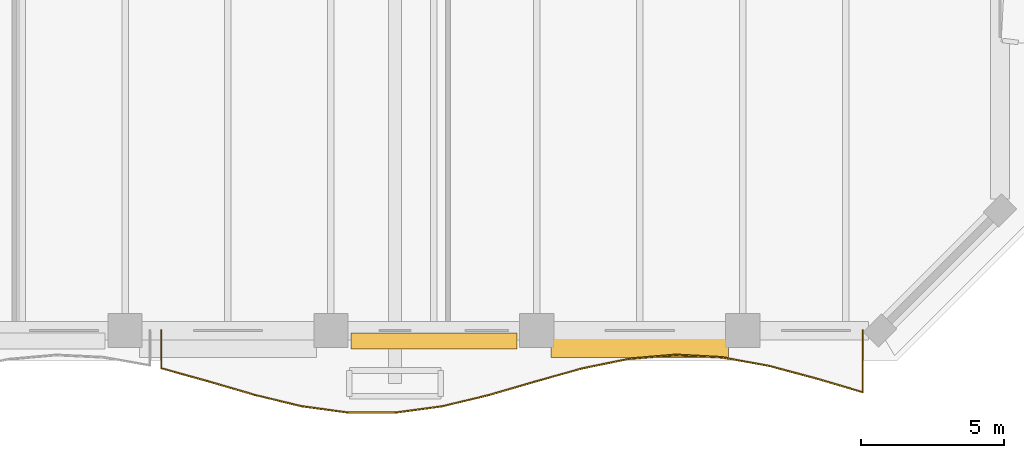
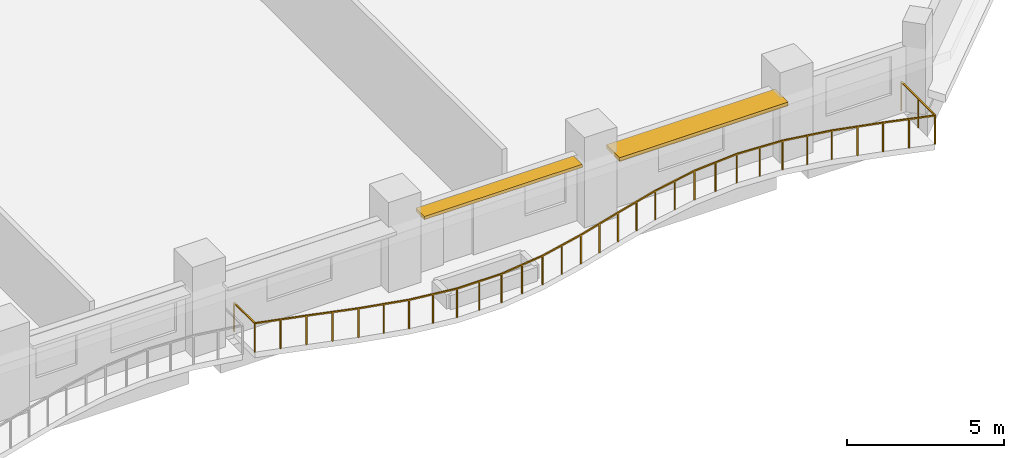
# One storey, part 13 of 14: 2 shading devices, 1 railing.
"""IFC4 building model written with IfcOpenShell, lengths in metres."""

from ifc_helpers import new_model, si_unit, direction, frame, origin, origin_2d, place, context, subcontext, project, spatial, rectangle, extrude, material, layer, layer_set, type_object, element, save


model = new_model("IFC4")

# Units and contexts
model_context = context("Model", 3, precision=1e-05, world=origin(), true_north=direction((0.0, 1.0)))
body_context = subcontext(model_context, "Body", "Model", "MODEL_VIEW")
ifc_project = project(units=[si_unit("LENGTHUNIT", "METRE"), si_unit("AREAUNIT", "SQUARE_METRE"), si_unit("VOLUMEUNIT", "CUBIC_METRE"), si_unit("PLANEANGLEUNIT", "RADIAN"), si_unit("MASSUNIT", "GRAM", prefix="KILO")], contexts=[model_context])

# Site, building, storey
site_placement = place(None, origin())
site = spatial("IfcSite", under=ifc_project, at=site_placement, CompositionType="ELEMENT")
building_placement = place(site_placement, origin())
building = spatial("IfcBuilding", under=site, at=building_placement, Name="Kaelvorn Grand Hotel", CompositionType="ELEMENT")
storey_placement = place(building_placement, frame((0.0, 0.0, 119.300048828125)))
storey = spatial("IfcBuildingStorey", under=building, at=storey_placement, Name="L28", CompositionType="ELEMENT", Elevation=119.300048828125)

# Railing
ifc_material_1 = material(Name="Stainless Steel", Category="steel")
railing_type = type_object("IfcRailingType", Name="RL-BALC-1150", PredefinedType="BALUSTRADE", material=ifc_material_1)
railing_placement = place(storey_placement, frame((54.666748046875, 0.0, 0.0)))
element("IfcRailing", 1, at=railing_placement, inside=storey, type_object=railing_type, Name="L28 Scalloped Wave Balcony Balustrade GR1-3", PredefinedType="BALUSTRADE", context=body_context, shape_type="SweptSolid", body=[
    extrude(rectangle(XDim=0.048095703125, YDim=0.048095703125, at=origin_2d()), frame((0.0, 0.0, 1.1259765625), z_axis=(0.0, -1.0, 0.0), x_axis=(1.0, 0.0, 0.0)), (0.0, 0.0, 1.0), 1.318359375),
    extrude(rectangle(XDim=0.048095703125, YDim=0.048095703125, at=origin_2d()), frame((0.0, -1.318359375, 1.1259765625), z_axis=(0.963251690304, -0.268600411627, 0.0), x_axis=(0.268600411627, 0.963251690304, 0.0)), (0.0, 0.0, 1.0), 1.697998046875),
    extrude(rectangle(XDim=0.048095703125, YDim=0.048095703125, at=origin_2d()), frame((1.635498046875, -1.7744140625, 1.1259765625), z_axis=(0.959763780104, -0.280808629498, 0.0), x_axis=(0.280808629498, 0.959763780104, 0.0)), (0.0, 0.0, 1.0), 1.7041015625),
    extrude(rectangle(XDim=0.048095703125, YDim=0.048095703125, at=origin_2d()), frame((3.27099609375, -2.2529296875, 1.1259765625), z_axis=(0.972148369978, -0.234366266236, 0.0), x_axis=(0.234366266236, 0.972148369978, 0.0)), (0.0, 0.0, 1.0), 1.682373046875),
    extrude(rectangle(XDim=0.048095703125, YDim=0.048095703125, at=origin_2d()), frame((4.906494140625, -2.647216796875, 1.1259765625), z_axis=(0.990842762627, -0.13502081228, 0.0), x_axis=(0.13502081228, 0.990842762627, 0.0)), (0.0, 0.0, 1.0), 1.65087890625),
    extrude(rectangle(XDim=0.048095703125, YDim=0.048095703125, at=origin_2d()), frame((6.542236328125, -2.8701171875, 1.1259765625), z_axis=(0.999999286934, -0.001194207239, 0.0), x_axis=(0.001194207239, 0.999999286934, 0.0)), (0.0, 0.0, 1.0), 1.635498046875),
    extrude(rectangle(XDim=0.048095703125, YDim=0.048095703125, at=origin_2d()), frame((8.177734375, -2.8720703125, 1.1259765625), z_axis=(0.991115126173, 0.133006791824, 0.0), x_axis=(-0.133006791824, 0.991115126173, 0.0)), (0.0, 0.0, 1.0), 1.650146484375),
    extrude(rectangle(XDim=0.048095703125, YDim=0.048095703125, at=origin_2d()), frame((9.813232421875, -2.652587890625, 1.1259765625), z_axis=(0.972412331171, 0.233268639527, 0.0), x_axis=(-0.233268639527, 0.972412331171, 0.0)), (0.0, 0.0, 1.0), 1.681884765625),
    extrude(rectangle(XDim=0.048095703125, YDim=0.048095703125, at=origin_2d()), frame((11.44873046875, -2.26025390625, 1.1259765625), z_axis=(0.959890814744, 0.280374078277, 0.0), x_axis=(-0.280374078277, 0.959890814744, 0.0)), (0.0, 0.0, 1.0), 1.7041015625),
    extrude(rectangle(XDim=0.048095703125, YDim=0.048095703125, at=origin_2d()), frame((13.08447265625, -1.782470703125, 1.1259765625), z_axis=(0.963065481096, 0.269267300506, 0.0), x_axis=(-0.269267300506, 0.963065481096, 0.0)), (0.0, 0.0, 1.0), 1.6982421875),
    extrude(rectangle(XDim=0.048095703125, YDim=0.048095703125, at=origin_2d()), frame((14.719970703125, -1.3251953125, 1.1259765625), z_axis=(0.979635901777, 0.200782220203, 0.0), x_axis=(-0.200782220203, 0.979635901777, 0.0)), (0.0, 0.0, 1.0), 1.66943359375),
    extrude(rectangle(XDim=0.048095703125, YDim=0.048095703125, at=origin_2d()), frame((16.35546875, -0.989990234375, 1.1259765625), z_axis=(0.996424697857, 0.084485628957, 0.0), x_axis=(-0.084485628957, 0.996424697857, 0.0)), (0.0, 0.0, 1.0), 1.641357421875),
    extrude(rectangle(XDim=0.048095703125, YDim=0.048095703125, at=origin_2d()), frame((17.990966796875, -0.851318359375, 1.1259765625), z_axis=(0.998527034958, -0.054256432412, 0.0), x_axis=(0.054256432412, 0.998527034958, 0.0)), (0.0, 0.0, 1.0), 1.637939453125),
    extrude(rectangle(XDim=0.048095703125, YDim=0.048095703125, at=origin_2d()), frame((19.62646484375, -0.940185546875, 1.1259765625), z_axis=(0.983977821186, -0.178290906704, 0.0), x_axis=(0.178290906704, 0.983977821186, 0.0)), (0.0, 0.0, 1.0), 1.662353515625),
    extrude(rectangle(XDim=0.048095703125, YDim=0.048095703125, at=origin_2d()), frame((21.26220703125, -1.236572265625, 1.1259765625), z_axis=(0.965925524936, -0.258820169766, 0.0), x_axis=(0.258820169766, 0.965925524936, 0.0)), (0.0, 0.0, 1.0), 1.693115234375),
    extrude(rectangle(XDim=0.048095703125, YDim=0.048095703125, at=origin_2d()), frame((22.897705078125, -1.6748046875, 1.1259765625), z_axis=(0.959105197492, -0.283049854522, 0.0), x_axis=(0.283049854522, 0.959105197492, 0.0)), (0.0, 0.0, 1.0), 1.705322265625),
    extrude(rectangle(XDim=0.048095703125, YDim=0.048095703125, at=origin_2d()), frame((24.533203125, -2.157470703125, 1.1259765625), z_axis=(0.0, 1.0, 0.0), x_axis=(-1.0, 0.0, 0.0)), (0.0, 0.0, 1.0), 2.157470703125),
    extrude(rectangle(XDim=0.0419921875, YDim=0.0419921875, at=origin_2d()), origin(), (0.0, 0.0, 1.0), 1.101806640625),
    extrude(rectangle(XDim=0.0419921875, YDim=0.0419921875, at=origin_2d()), frame((0.0, -1.318359375, 0.0)), (0.0, 0.0, 1.0), 1.101806640625),
    extrude(rectangle(XDim=0.0419921875, YDim=0.0419921875, at=origin_2d()), frame((0.81787109375, -1.54638671875, 0.0)), (0.0, 0.0, 1.0), 1.101806640625),
    extrude(rectangle(XDim=0.0419921875, YDim=0.0419921875, at=origin_2d()), frame((1.635498046875, -1.7744140625, 0.0)), (0.0, 0.0, 1.0), 1.101806640625),
    extrude(rectangle(XDim=0.0419921875, YDim=0.0419921875, at=origin_2d()), frame((2.453125, -2.013671875, 0.0)), (0.0, 0.0, 1.0), 1.101806640625),
    extrude(rectangle(XDim=0.0419921875, YDim=0.0419921875, at=origin_2d()), frame((3.27099609375, -2.2529296875, 0.0)), (0.0, 0.0, 1.0), 1.101806640625),
    extrude(rectangle(XDim=0.0419921875, YDim=0.0419921875, at=origin_2d()), frame((4.0888671875, -2.4501953125, 0.0)), (0.0, 0.0, 1.0), 1.101806640625),
    extrude(rectangle(XDim=0.0419921875, YDim=0.0419921875, at=origin_2d()), frame((4.906494140625, -2.647216796875, 0.0)), (0.0, 0.0, 1.0), 1.101806640625),
    extrude(rectangle(XDim=0.0419921875, YDim=0.0419921875, at=origin_2d()), frame((5.724365234375, -2.7587890625, 0.0)), (0.0, 0.0, 1.0), 1.101806640625),
    extrude(rectangle(XDim=0.0419921875, YDim=0.0419921875, at=origin_2d()), frame((6.542236328125, -2.8701171875, 0.0)), (0.0, 0.0, 1.0), 1.101806640625),
    extrude(rectangle(XDim=0.0419921875, YDim=0.0419921875, at=origin_2d()), frame((7.35986328125, -2.87109375, 0.0)), (0.0, 0.0, 1.0), 1.101806640625),
    extrude(rectangle(XDim=0.0419921875, YDim=0.0419921875, at=origin_2d()), frame((8.177734375, -2.8720703125, 0.0)), (0.0, 0.0, 1.0), 1.101806640625),
    extrude(rectangle(XDim=0.0419921875, YDim=0.0419921875, at=origin_2d()), frame((8.99560546875, -2.76220703125, 0.0)), (0.0, 0.0, 1.0), 1.101806640625),
    extrude(rectangle(XDim=0.0419921875, YDim=0.0419921875, at=origin_2d()), frame((9.813232421875, -2.652587890625, 0.0)), (0.0, 0.0, 1.0), 1.101806640625),
    extrude(rectangle(XDim=0.0419921875, YDim=0.0419921875, at=origin_2d()), frame((10.630859375, -2.45654296875, 0.0)), (0.0, 0.0, 1.0), 1.101806640625),
    extrude(rectangle(XDim=0.0419921875, YDim=0.0419921875, at=origin_2d()), frame((11.44873046875, -2.26025390625, 0.0)), (0.0, 0.0, 1.0), 1.101806640625),
    extrude(rectangle(XDim=0.0419921875, YDim=0.0419921875, at=origin_2d()), frame((12.2666015625, -2.021484375, 0.0)), (0.0, 0.0, 1.0), 1.101806640625),
    extrude(rectangle(XDim=0.0419921875, YDim=0.0419921875, at=origin_2d()), frame((13.08447265625, -1.782470703125, 0.0)), (0.0, 0.0, 1.0), 1.101806640625),
    extrude(rectangle(XDim=0.0419921875, YDim=0.0419921875, at=origin_2d()), frame((13.90234375, -1.5537109375, 0.0)), (0.0, 0.0, 1.0), 1.101806640625),
    extrude(rectangle(XDim=0.0419921875, YDim=0.0419921875, at=origin_2d()), frame((14.719970703125, -1.3251953125, 0.0)), (0.0, 0.0, 1.0), 1.101806640625),
    extrude(rectangle(XDim=0.0419921875, YDim=0.0419921875, at=origin_2d()), frame((15.53759765625, -1.15771484375, 0.0)), (0.0, 0.0, 1.0), 1.101806640625),
    extrude(rectangle(XDim=0.0419921875, YDim=0.0419921875, at=origin_2d()), frame((16.35546875, -0.989990234375, 0.0)), (0.0, 0.0, 1.0), 1.101806640625),
    extrude(rectangle(XDim=0.0419921875, YDim=0.0419921875, at=origin_2d()), frame((17.17333984375, -0.920654296875, 0.0)), (0.0, 0.0, 1.0), 1.101806640625),
    extrude(rectangle(XDim=0.0419921875, YDim=0.0419921875, at=origin_2d()), frame((17.990966796875, -0.851318359375, 0.0)), (0.0, 0.0, 1.0), 1.101806640625),
    extrude(rectangle(XDim=0.0419921875, YDim=0.0419921875, at=origin_2d()), frame((18.80859375, -0.895751953125, 0.0)), (0.0, 0.0, 1.0), 1.101806640625),
    extrude(rectangle(XDim=0.0419921875, YDim=0.0419921875, at=origin_2d()), frame((19.62646484375, -0.940185546875, 0.0)), (0.0, 0.0, 1.0), 1.101806640625),
    extrude(rectangle(XDim=0.0419921875, YDim=0.0419921875, at=origin_2d()), frame((20.4443359375, -1.08837890625, 0.0)), (0.0, 0.0, 1.0), 1.101806640625),
    extrude(rectangle(XDim=0.0419921875, YDim=0.0419921875, at=origin_2d()), frame((21.26220703125, -1.236572265625, 0.0)), (0.0, 0.0, 1.0), 1.101806640625),
    extrude(rectangle(XDim=0.0419921875, YDim=0.0419921875, at=origin_2d()), frame((22.080078125, -1.45556640625, 0.0)), (0.0, 0.0, 1.0), 1.101806640625),
    extrude(rectangle(XDim=0.0419921875, YDim=0.0419921875, at=origin_2d()), frame((22.897705078125, -1.6748046875, 0.0)), (0.0, 0.0, 1.0), 1.101806640625),
    extrude(rectangle(XDim=0.0419921875, YDim=0.0419921875, at=origin_2d()), frame((23.71533203125, -1.916015625, 0.0)), (0.0, 0.0, 1.0), 1.101806640625),
    extrude(rectangle(XDim=0.0419921875, YDim=0.0419921875, at=origin_2d()), frame((24.533203125, -2.157470703125, 0.0)), (0.0, 0.0, 1.0), 1.101806640625),
    extrude(rectangle(XDim=0.0419921875, YDim=0.0419921875, at=origin_2d()), frame((24.533203125, -1.07861328125, 0.0)), (0.0, 0.0, 1.0), 1.101806640625),
    extrude(rectangle(XDim=0.0419921875, YDim=0.0419921875, at=origin_2d()), frame((24.533203125, 0.0, 0.0)), (0.0, 0.0, 1.0), 1.101806640625),
])

# Shading devices
ifc_material_2 = material(Name="Precast concrete C45/55", Category="concrete")
ifc_layer_1 = layer(ifc_material_2, 0.1201171875)
ifc_layer_set_1 = layer_set([ifc_layer_1], Name="Precast concrete C45/55")
shading_device_type_1 = type_object("IfcShadingDeviceType", Name="SHD-SUNSHADE-550", PredefinedType="USERDEFINED", material=ifc_layer_set_1)
shading_device_1_placement = place(storey_placement, frame((64.199951171875, -0.364990234375, 2.419921875), z_axis=(0.0, 0.0, 1.0), x_axis=(1.0, 0.0, 0.0)))
element("IfcShadingDevice", 2, at=shading_device_1_placement, inside=storey, type_object=shading_device_type_1, Name="L28 Horizontal Concrete Sunshade Band SS-09", ObjectType="SUNSHADE", PredefinedType="USERDEFINED", context=body_context, shape_type="SweptSolid", body=[
    extrude(rectangle(XDim=5.800048828125, YDim=0.550048828125, at=origin_2d()), origin(), (0.0, 0.0, 1.0), 0.1201171875),
])
ifc_layer_2 = layer(ifc_material_2, 0.139892578125)
ifc_layer_set_2 = layer_set([ifc_layer_2], Name="Precast concrete C45/55")
shading_device_type_2 = type_object("IfcShadingDeviceType", Name="SHD-SUNSHADE-850", PredefinedType="USERDEFINED", material=ifc_layer_set_2)
shading_device_2_placement = place(storey_placement, frame((71.39990234375, -0.514892578125, 2.41015625), z_axis=(0.0, 0.0, 1.0), x_axis=(1.0, 0.0, 0.0)))
element("IfcShadingDevice", 3, at=shading_device_2_placement, inside=storey, type_object=shading_device_type_2, Name="L28 Horizontal Concrete Sunshade Band SS-10", ObjectType="SUNSHADE", PredefinedType="USERDEFINED", context=body_context, shape_type="SweptSolid", body=[
    extrude(rectangle(XDim=6.199951171875, YDim=0.85009765625, at=origin_2d()), origin(), (0.0, 0.0, 1.0), 0.139892578125),
])

save(model, "model.ifc")
